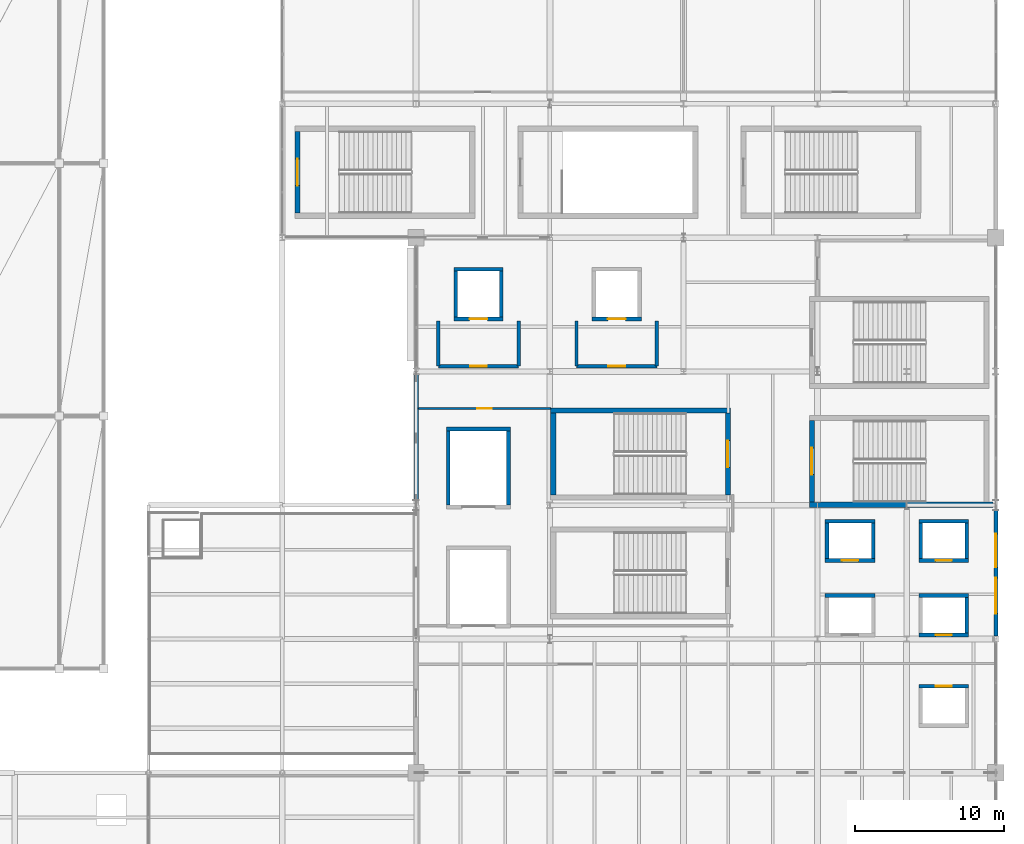
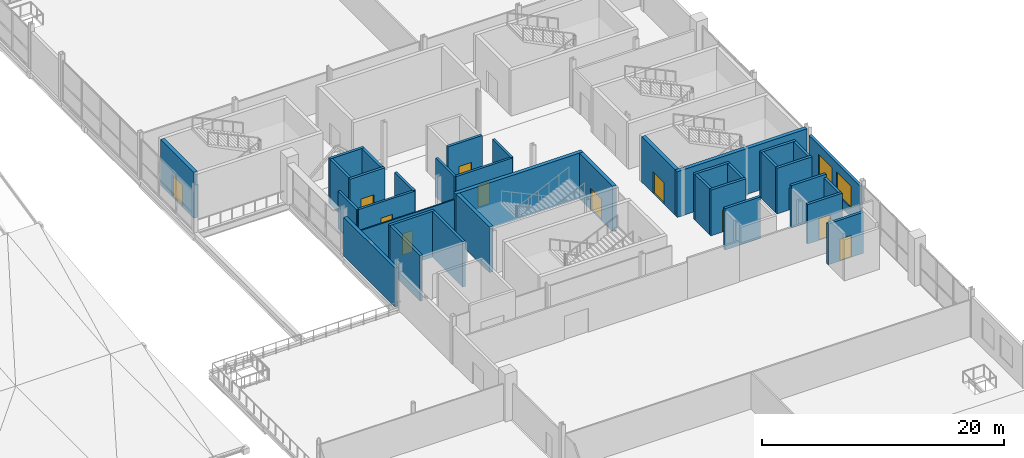
# One storey, part 52 of 69: 36 walls, 12 doors, 2 windows, 14 openings.
"""IFC4 building model written with IfcOpenShell, lengths in metres."""

import ifcopenshell
import ifcopenshell.guid

model = None  # the IFC model being written
_history = None  # IfcOwnerHistory: only IFC2X3 demands one
_inside = {}  # id of a spatial element -> (the spatial element, [elements in it])
_under = {}  # id of a project, library or spatial element -> (it, [spatial elements below it])
_declared = {}  # id of a project -> (the project, [libraries it declares])
_typed = {}  # id of a type object -> (the type object, [elements of that type])
_made_of = {}  # id of a material, layer set ... -> (it, [elements and type objects made of it])


def new_model(schema):
    """Start an empty IFC model of exactly this schema.

    Asked for "IFC4X3", IfcOpenShell would pick the latest addendum, in which some entities
    have other attributes; the version numbers below select the first issue.
    IFC2X3 requires an IfcOwnerHistory on every rooted entity: one is made here for all.
    """
    global model, _history
    if schema == "IFC4X3":
        model = ifcopenshell.file(schema_version=(4, 3, 0, 0))
    else:
        model = ifcopenshell.file(schema=schema)
    _inside.clear()
    _under.clear()
    _declared.clear()
    _typed.clear()
    _made_of.clear()
    _history = None
    if model.schema == "IFC2X3":
        org = make("IfcOrganization", Name="unknown")
        user = make(
            "IfcPersonAndOrganization",
            ThePerson=make("IfcPerson", FamilyName="unknown"),
            TheOrganization=org,
        )
        app = make(
            "IfcApplication",
            ApplicationDeveloper=org,
            Version="unknown",
            ApplicationFullName="unknown",
            ApplicationIdentifier="unknown",
        )
        _history = make(
            "IfcOwnerHistory",
            OwningUser=user,
            OwningApplication=app,
            ChangeAction="ADDED",
            CreationDate=0,
        )
    return model


def make(cls, **values):
    """One entity of the class cls with the attributes given. An attribute that is None is left unset."""
    return model.create_entity(
        cls, **{name: value for name, value in values.items() if value is not None}
    )


def rooted(cls, **values):
    """An entity with a GlobalId (a new one), such as an element, a storey or a relation."""
    return make(cls, GlobalId=ifcopenshell.guid.new(), OwnerHistory=_history, **values)


def si_unit(unit_type, name, prefix=None):
    """IfcSIUnit, for example si_unit("LENGTHUNIT", "METRE", prefix="MILLI")."""
    return make("IfcSIUnit", UnitType=unit_type, Prefix=prefix, Name=name)


def assignment(units):
    """IfcUnitAssignment: the units of a project."""
    return None if units is None else make("IfcUnitAssignment", Units=units)


def point(xyz):
    """IfcCartesianPoint."""
    return None if xyz is None else make("IfcCartesianPoint", Coordinates=xyz)


def direction(xyz):
    """IfcDirection."""
    return None if xyz is None else make("IfcDirection", DirectionRatios=xyz)


def frame(location, z_axis=None, x_axis=None):
    """IfcAxis2Placement3D, a coordinate frame: its origin and axes. An axis left out is left unset."""
    return make(
        "IfcAxis2Placement3D",
        Location=point(location),
        Axis=direction(z_axis),
        RefDirection=direction(x_axis),
    )


def frame_2d(location, x_axis=None):
    """IfcAxis2Placement2D, a coordinate frame in the plane: its origin and x axis."""
    return make(
        "IfcAxis2Placement2D", Location=point(location), RefDirection=direction(x_axis)
    )


def origin():
    """The frame at (0, 0, 0) with its axes left unset."""
    return frame((0.0, 0.0, 0.0))


def place(relative_to, where):
    """IfcLocalPlacement: puts the frame where relative to a parent placement (None: the world)."""
    return make(
        "IfcLocalPlacement", PlacementRelTo=relative_to, RelativePlacement=where
    )


def context(
    kind, dimensions, precision=None, world=None, true_north=None, identifier=None
):
    """IfcGeometricRepresentationContext, for example the 3D "Model" context."""
    return make(
        "IfcGeometricRepresentationContext",
        ContextIdentifier=identifier,
        ContextType=kind,
        CoordinateSpaceDimension=dimensions,
        Precision=precision,
        WorldCoordinateSystem=world,
        TrueNorth=true_north,
    )


def subcontext(parent, identifier, kind, view, scale=None):
    """IfcGeometricRepresentationSubContext, for example "Body" below "Model"."""
    return make(
        "IfcGeometricRepresentationSubContext",
        ContextIdentifier=identifier,
        ContextType=kind,
        ParentContext=parent,
        TargetScale=scale,
        TargetView=view,
    )


def project(units=None, contexts=None):
    """IfcProject with its units and contexts."""
    return rooted(
        "IfcProject",
        Name="project",
        RepresentationContexts=contexts,
        UnitsInContext=assignment(units),
    )


def spatial(cls, under=None, at=None, **own):
    """A site, building, storey or space (cls), placed at a placement, below another one or the project."""
    s = rooted(cls, ObjectPlacement=at, **own)
    if under is not None:
        _under.setdefault(under.id(), (under, []))[1].append(s)
    return s


def profile(cls, at=None, kind="AREA", **sizes):
    """A parametric profile (cls). Its sizes go by their IFC names, for example OverallWidth=200.0."""
    return make(cls, ProfileType=kind, Position=at, **sizes)


def rectangle(**sizes):
    """IfcRectangleProfileDef."""
    return profile("IfcRectangleProfileDef", **sizes)


def extrude(swept, where, along, depth):
    """IfcExtrudedAreaSolid: the profile swept, set in the frame where, extruded along a direction by depth."""
    return make(
        "IfcExtrudedAreaSolid",
        SweptArea=swept,
        Position=where,
        ExtrudedDirection=direction(along),
        Depth=depth,
    )


def shape(context_of_items, identifier, shape_type, items):
    """IfcShapeRepresentation: the items that make up one representation, for example the "Body"."""
    return make(
        "IfcShapeRepresentation",
        ContextOfItems=context_of_items,
        RepresentationIdentifier=identifier,
        RepresentationType=shape_type,
        Items=items,
    )


def material(Name=None, Category=None):
    """IfcMaterial."""
    return make("IfcMaterial", Name=Name, Category=Category)


def layer(
    of_material, thickness, ventilated=None, Name=None, Category=None, Priority=None
):
    """IfcMaterialLayer: one layer of a wall or slab, of a material (None: an air gap)."""
    return make(
        "IfcMaterialLayer",
        Material=of_material,
        LayerThickness=thickness,
        IsVentilated=ventilated,
        Name=Name,
        Category=Category,
        Priority=Priority,
    )


def layer_set(layers, Name=None):
    """IfcMaterialLayerSet."""
    return make("IfcMaterialLayerSet", MaterialLayers=layers, LayerSetName=Name)


def made_of(thing, what):
    """Note that an element or type object is made of a material, layer set ...; save() writes the relation."""
    if what is not None:
        _made_of.setdefault(what.id(), (what, []))[1].append(thing)
    return thing


def type_object(cls, material=None, **own):
    """A type object (cls), such as IfcWallType, which elements share."""
    return made_of(rooted(cls, **own), material)


def element(
    cls,
    number,
    at=None,
    inside=None,
    cuts=None,
    type_object=None,
    material=None,
    context=None,
    identifier="Body",
    shape_type=None,
    held_by="IfcProductDefinitionShape",
    body=None,
    shapes=None,
    **own,
):
    """One element of the class cls, such as IfcWall. Its Tag is "e" and its number.

    at: its placement. inside: the storey or other place that contains it. cuts: it is an
    opening in that element (IfcRelVoidsElement). A single representation is given by context,
    identifier, shape_type and body (its items); several are given by shapes. held_by: the class
    of the entity that holds the representations. save() writes the other relations.
    """
    e = rooted(cls, Tag="e%d" % number, ObjectPlacement=at, **own)
    if body is not None:
        shapes = [shape(context, identifier, shape_type, body)]
    if shapes is not None:
        e.Representation = make(held_by, Representations=shapes)
    if inside is not None:
        _inside.setdefault(inside.id(), (inside, []))[1].append(e)
    if cuts is not None:
        rooted(
            "IfcRelVoidsElement", RelatingBuildingElement=cuts, RelatedOpeningElement=e
        )
    if type_object is not None:
        _typed.setdefault(type_object.id(), (type_object, []))[1].append(e)
    return made_of(e, material)


def fill(opening, filler):
    """IfcRelFillsElement: the door or window that sits in an opening."""
    return rooted(
        "IfcRelFillsElement",
        RelatingOpeningElement=opening,
        RelatedBuildingElement=filler,
    )


def aggregate(whole, parts):
    """IfcRelAggregates: a whole, such as a stair, and the parts it consists of."""
    return rooted("IfcRelAggregates", RelatingObject=whole, RelatedObjects=parts)


def save(model, path):
    """Write the relations noted so far, then the file.

    IfcRelAggregates (storeys below a building ...), IfcRelContainedInSpatialStructure (elements
    in a storey), IfcRelDefinesByType, IfcRelAssociatesMaterial and IfcRelDeclares: one each for
    every whole, place, type object, material and project.
    """
    for whole, parts in _under.values():
        aggregate(whole, parts)
    for where, things in _inside.values():
        rooted(
            "IfcRelContainedInSpatialStructure",
            RelatedElements=things,
            RelatingStructure=where,
        )
    for kind, things in _typed.values():
        rooted("IfcRelDefinesByType", RelatedObjects=things, RelatingType=kind)
    for what, things in _made_of.values():
        rooted("IfcRelAssociatesMaterial", RelatedObjects=things, RelatingMaterial=what)
    for by, libraries in _declared.values():
        rooted("IfcRelDeclares", RelatingContext=by, RelatedDefinitions=libraries)
    model.write(path)


model = new_model("IFC4")

# Units and contexts
model_context = context("Model", 3, precision=1e-05, world=origin(), true_north=direction((0.0, 1.0)))
body_context = subcontext(model_context, "Body", "Model", "MODEL_VIEW")
ifc_project = project(units=[si_unit("LENGTHUNIT", "METRE"), si_unit("AREAUNIT", "SQUARE_METRE"), si_unit("VOLUMEUNIT", "CUBIC_METRE"), si_unit("PLANEANGLEUNIT", "RADIAN"), si_unit("MASSUNIT", "GRAM", prefix="KILO")], contexts=[model_context])

# Site, building, storey
site_placement = place(None, origin())
site = spatial("IfcSite", under=ifc_project, at=site_placement, CompositionType="ELEMENT")
building_placement = place(site_placement, origin())
building = spatial("IfcBuilding", under=site, at=building_placement, Name="Qamarlyn Nura Convention Centre", CompositionType="ELEMENT")
storey_placement = place(building_placement, frame((0.0, 0.0, 15.60009765625)))
storey = spatial("IfcBuildingStorey", under=building, at=storey_placement, Name="L03", CompositionType="ELEMENT", Elevation=15.60009765625)

# Wall, opening, door
ifc_material_1 = material(Name="Fire-rated acoustic gypsum board and mineral wool EI 120")
ifc_layer_1 = layer(ifc_material_1, 0.219970703125, Name="WT-COMP-220")
ifc_layer_set_1 = layer_set([ifc_layer_1], Name="Fire-rated acoustic gypsum board and mineral wool EI 120")
wall_type_1 = type_object("IfcWallType", Name="WT-COMP-220", PredefinedType="SOLIDWALL", material=ifc_layer_set_1)
wall_1_placement = place(storey_placement, frame((154.5, 72.35009765625, 0.0), z_axis=(0.0, 0.0, 1.0), x_axis=(1.0, 0.0, 0.0)))
wall_1 = element("IfcWall", 1, at=wall_1_placement, inside=storey, type_object=wall_type_1, Name="L03 firefighting lobby barrier wall FFL-03-OPP", PredefinedType="SOLIDWALL", context=body_context, shape_type="SweptSolid", body=[
    extrude(rectangle(XDim=5.39990234375, YDim=0.219970703125, at=frame_2d((2.699951171875, 0.0))), origin(), (0.0, 0.0, 1.0), 3.81201171875),
])
opening_1_placement = place(wall_1_placement, frame((2.139892578125, 0.0, 0.0)))
opening_1 = element("IfcOpeningElement", 2, at=opening_1_placement, cuts=wall_1, Name="Opening DF-121", PredefinedType="OPENING", context=body_context, shape_type="SweptSolid", body=[
    extrude(rectangle(XDim=1.1201171875, YDim=2.199951171875, at=frame_2d((0.56005859375, 1.10009765625))), frame((0.0, 0.1201171875, 0.0), z_axis=(0.0, -1.0, 0.0), x_axis=(1.0, 0.0, 0.0)), (0.0, 0.0, 1.0), 0.239990234375),
])
ifc_material_2 = material(Name="Galvanised fire-rated hollow steel door", Category="steel")
door_type_1 = type_object("IfcDoorType", Name="DR-FFL-1120", OperationType="NOTDEFINED", PredefinedType="DOOR", material=ifc_material_2)
door_1_placement = place(opening_1_placement, origin())
door_1 = element("IfcDoor", 3, at=door_1_placement, inside=storey, type_object=door_type_1, Name="L03 firefighting lobby door FFL-03 (DF-121)", OperationType="SINGLE_SWING_LEFT", OverallHeight=2.199951171875, OverallWidth=1.1201171875, PredefinedType="DOOR", context=body_context, shape_type="SweptSolid", body=[
    extrude(rectangle(XDim=1.1201171875, YDim=2.199951171875, at=frame_2d((0.56005859375, 1.10009765625))), frame((0.0, 0.02490234375, 0.0), z_axis=(0.0, -1.0, 0.0), x_axis=(1.0, 0.0, 0.0)), (0.0, 0.0, 1.0), 0.050048828125),
])
fill(opening_1, door_1)

# Walls
for number, where, z_axis, x_axis, name in (
    (4, (154.5, 72.35009765625, 0.0), (0.0, 0.0, 1.0), (0.0, 1.0, 0.0), "L03 firefighting lobby barrier wall FFL-03-W"),
    (5, (159.89990234375, 72.35009765625, 0.0), (0.0, 0.0, 1.0), (0.0, 1.0, 0.0), "L03 firefighting lobby barrier wall FFL-03-E"),
):
    element("IfcWall", number, at=place(storey_placement, frame(where, z_axis=z_axis, x_axis=x_axis)), inside=storey, type_object=wall_type_1, Name=name, PredefinedType="SOLIDWALL", context=body_context, shape_type="SweptSolid", body=[
        extrude(rectangle(XDim=3.0498046875, YDim=0.219970703125, at=frame_2d((1.52490234375, 0.0))), origin(), (0.0, 0.0, 1.0), 3.81201171875),
    ])

# Wall, opening, door
wall_2_placement = place(storey_placement, frame((163.800048828125, 72.35009765625, 0.0), z_axis=(0.0, 0.0, 1.0), x_axis=(1.0, 0.0, 0.0)))
wall_2 = element("IfcWall", 6, at=wall_2_placement, inside=storey, type_object=wall_type_1, Name="L03 firefighting lobby barrier wall FFL-04-OPP", PredefinedType="SOLIDWALL", context=body_context, shape_type="SweptSolid", body=[
    extrude(rectangle(XDim=5.39990234375, YDim=0.219970703125, at=frame_2d((2.699951171875, 0.0))), origin(), (0.0, 0.0, 1.0), 3.889892578125),
])
opening_2_placement = place(wall_2_placement, frame((2.139892578125, 0.0, 0.0)))
opening_2 = element("IfcOpeningElement", 7, at=opening_2_placement, cuts=wall_2, Name="Opening DF-128", PredefinedType="OPENING", context=body_context, shape_type="SweptSolid", body=[
    extrude(rectangle(XDim=1.1201171875, YDim=2.199951171875, at=frame_2d((0.56005859375, 1.10009765625))), frame((0.0, 0.1201171875, 0.0), z_axis=(0.0, -1.0, 0.0), x_axis=(1.0, 0.0, 0.0)), (0.0, 0.0, 1.0), 0.239990234375),
])
door_2_placement = place(opening_2_placement, origin())
door_2 = element("IfcDoor", 8, at=door_2_placement, inside=storey, type_object=door_type_1, Name="L03 firefighting lobby door FFL-04 (DF-128)", OperationType="SINGLE_SWING_RIGHT", OverallHeight=2.199951171875, OverallWidth=1.1201171875, PredefinedType="DOOR", context=body_context, shape_type="SweptSolid", body=[
    extrude(rectangle(XDim=1.1201171875, YDim=2.199951171875, at=frame_2d((0.56005859375, 1.10009765625))), frame((0.0, 0.02490234375, 0.0), z_axis=(0.0, -1.0, 0.0), x_axis=(1.0, 0.0, 0.0)), (0.0, 0.0, 1.0), 0.050048828125),
])
fill(opening_2, door_2)

# Walls
for number, where, z_axis, x_axis, name in (
    (9, (163.800048828125, 72.35009765625, 0.0), (0.0, 0.0, 1.0), (0.0, 1.0, 0.0), "L03 firefighting lobby barrier wall FFL-04-W"),
    (10, (169.199951171875, 72.35009765625, 0.0), (0.0, 0.0, 1.0), (0.0, 1.0, 0.0), "L03 firefighting lobby barrier wall FFL-04-E"),
):
    element("IfcWall", number, at=place(storey_placement, frame(where, z_axis=z_axis, x_axis=x_axis)), inside=storey, type_object=wall_type_1, Name=name, PredefinedType="SOLIDWALL", context=body_context, shape_type="SweptSolid", body=[
        extrude(rectangle(XDim=3.0498046875, YDim=0.219970703125, at=frame_2d((1.52490234375, 0.0))), origin(), (0.0, 0.0, 1.0), 3.889892578125),
    ])
ifc_material_3 = material(Name="Concrete C50/60", Category="concrete")
ifc_layer_2 = layer(ifc_material_3, 0.35009765625, Name="WT-CORE-350")
ifc_layer_set_2 = layer_set([ifc_layer_2], Name="Concrete C50/60")
wall_type_2 = type_object("IfcWallType", Name="WT-CORE-350", PredefinedType="SHEAR", material=ifc_layer_set_2)
wall_3_placement = place(storey_placement, frame((174.14990234375, 69.375, 0.0), z_axis=(0.0, 0.0, 1.0), x_axis=(-1.0, 0.0, 0.0)))
element("IfcWall", 11, at=wall_3_placement, inside=storey, type_object=wall_type_2, Name="L03 stair core shear wall ST-12-N", PredefinedType="SHEAR", context=body_context, shape_type="SweptSolid", body=[
    extrude(rectangle(XDim=12.099853515625, YDim=0.35009765625, at=frame_2d((6.0498046875, 0.0))), origin(), (0.0, 0.0, 1.0), 4.599853515625),
])
wall_4_placement = place(storey_placement, frame((162.22509765625, 69.199951171875, 0.0), z_axis=(0.0, 0.0, 1.0), x_axis=(0.0, -1.0, 0.0)))
element("IfcWall", 12, at=wall_4_placement, inside=storey, type_object=wall_type_2, Name="L03 stair core shear wall ST-12-W", PredefinedType="SHEAR", context=body_context, shape_type="SweptSolid", body=[
    extrude(rectangle(XDim=5.5, YDim=0.35009765625, at=frame_2d((2.75, 0.0))), origin(), (0.0, 0.0, 1.0), 4.599853515625),
])

# Wall, opening, door
wall_5_placement = place(storey_placement, frame((173.97509765625, 63.699951171875, 0.0), z_axis=(0.0, 0.0, 1.0), x_axis=(0.0, 1.0, 0.0)))
wall_5 = element("IfcWall", 13, at=wall_5_placement, inside=storey, type_object=wall_type_2, Name="L03 stair core shear wall ST-12-E", PredefinedType="SHEAR", context=body_context, shape_type="SweptSolid", body=[
    extrude(rectangle(XDim=5.5, YDim=0.35009765625, at=frame_2d((2.75, 0.0))), origin(), (0.0, 0.0, 1.0), 4.599853515625),
])
opening_3_placement = place(wall_5_placement, frame((1.85009765625, 0.0, 0.0)))
opening_3 = element("IfcOpeningElement", 14, at=opening_3_placement, cuts=wall_5, Name="Opening DS-054", PredefinedType="OPENING", context=body_context, shape_type="SweptSolid", body=[
    extrude(rectangle(XDim=1.800048828125, YDim=2.199951171875, at=frame_2d((0.89990234375, 1.10009765625))), frame((0.0, 0.18505859375, 0.0), z_axis=(0.0, -1.0, 0.0), x_axis=(1.0, 0.0, 0.0)), (0.0, 0.0, 1.0), 0.3701171875),
])
door_type_2 = type_object("IfcDoorType", Name="DR-STAIR-1800", OperationType="DOUBLE_DOOR_SINGLE_SWING", PredefinedType="DOOR", material=ifc_material_2)
door_3_placement = place(opening_3_placement, origin())
door_3 = element("IfcDoor", 15, at=door_3_placement, inside=storey, type_object=door_type_2, Name="L03 exit stair door ST-12 (DS-054)", OperationType="DOUBLE_DOOR_SINGLE_SWING", OverallHeight=2.199951171875, OverallWidth=1.800048828125, PredefinedType="DOOR", context=body_context, shape_type="SweptSolid", body=[
    extrude(rectangle(XDim=1.800048828125, YDim=2.199951171875, at=frame_2d((0.89990234375, 1.10009765625))), frame((0.0, 0.02490234375, 0.0), z_axis=(0.0, -1.0, 0.0), x_axis=(1.0, 0.0, 0.0)), (0.0, 0.0, 1.0), 0.050048828125),
])
fill(opening_3, door_3)

# Wall
wall_6_placement = place(storey_placement, frame((179.449951171875, 63.02490234375, 0.0), z_axis=(0.0, 0.0, 1.0), x_axis=(1.0, 0.0, 0.0)))
element("IfcWall", 16, at=wall_6_placement, inside=storey, type_object=wall_type_2, Name="L03 stair core shear wall ST-13-S", PredefinedType="SHEAR", context=body_context, shape_type="SweptSolid", body=[
    extrude(rectangle(XDim=12.37255859375, YDim=0.35009765625, at=frame_2d((6.186279296875, 0.0))), origin(), (0.0, 0.0, 1.0), 4.599853515625),
])

# Wall, opening, door
wall_7_placement = place(storey_placement, frame((179.625, 68.699951171875, 0.0), z_axis=(0.0, 0.0, 1.0), x_axis=(0.0, -1.0, 0.0)))
wall_7 = element("IfcWall", 17, at=wall_7_placement, inside=storey, type_object=wall_type_2, Name="L03 stair core shear wall ST-13-W", PredefinedType="SHEAR", context=body_context, shape_type="SweptSolid", body=[
    extrude(rectangle(XDim=5.5, YDim=0.35009765625, at=frame_2d((2.75, 0.0))), origin(), (0.0, 0.0, 1.0), 4.599853515625),
])
opening_4_placement = place(wall_7_placement, frame((1.85009765625, 0.0, 0.0)))
opening_4 = element("IfcOpeningElement", 18, at=opening_4_placement, cuts=wall_7, Name="Opening DS-061", PredefinedType="OPENING", context=body_context, shape_type="SweptSolid", body=[
    extrude(rectangle(XDim=1.800048828125, YDim=2.199951171875, at=frame_2d((0.89990234375, 1.10009765625))), frame((0.0, 0.18505859375, 0.0), z_axis=(0.0, -1.0, 0.0), x_axis=(1.0, 0.0, 0.0)), (0.0, 0.0, 1.0), 0.3701171875),
])
door_4_placement = place(opening_4_placement, origin())
door_4 = element("IfcDoor", 19, at=door_4_placement, inside=storey, type_object=door_type_2, Name="L03 exit stair door ST-13 (DS-061)", OperationType="DOUBLE_DOOR_SINGLE_SWING", OverallHeight=2.199951171875, OverallWidth=1.800048828125, PredefinedType="DOOR", context=body_context, shape_type="SweptSolid", body=[
    extrude(rectangle(XDim=1.800048828125, YDim=2.199951171875, at=frame_2d((0.89990234375, 1.10009765625))), frame((0.0, 0.02490234375, 0.0), z_axis=(0.0, -1.0, 0.0), x_axis=(1.0, 0.0, 0.0)), (0.0, 0.0, 1.0), 0.050048828125),
])
fill(opening_4, door_4)

wall_8_placement = place(storey_placement, frame((145.02490234375, 88.14990234375, 0.0), z_axis=(0.0, 0.0, 1.0), x_axis=(0.0, -1.0, 0.0)))
wall_8 = element("IfcWall", 20, at=wall_8_placement, inside=storey, type_object=wall_type_2, Name="L03 stair core shear wall ST-15-W", PredefinedType="SHEAR", context=body_context, shape_type="SweptSolid", body=[
    extrude(rectangle(XDim=5.5, YDim=0.35009765625, at=frame_2d((2.75, 0.0))), origin(), (0.0, 0.0, 1.0), 4.635009765625),
])
opening_5_placement = place(wall_8_placement, frame((1.85009765625, 0.0, 0.0)))
opening_5 = element("IfcOpeningElement", 21, at=opening_5_placement, cuts=wall_8, Name="Opening DS-075", PredefinedType="OPENING", context=body_context, shape_type="SweptSolid", body=[
    extrude(rectangle(XDim=1.800048828125, YDim=2.199951171875, at=frame_2d((0.89990234375, 1.10009765625))), frame((0.0, 0.18505859375, 0.0), z_axis=(0.0, -1.0, 0.0), x_axis=(1.0, 0.0, 0.0)), (0.0, 0.0, 1.0), 0.3701171875),
])
door_5_placement = place(opening_5_placement, origin())
door_5 = element("IfcDoor", 22, at=door_5_placement, inside=storey, type_object=door_type_2, Name="L03 exit stair door ST-15 (DS-075)", OperationType="DOUBLE_DOOR_SINGLE_SWING", OverallHeight=2.199951171875, OverallWidth=1.800048828125, PredefinedType="DOOR", context=body_context, shape_type="SweptSolid", body=[
    extrude(rectangle(XDim=1.800048828125, YDim=2.199951171875, at=frame_2d((0.89990234375, 1.10009765625))), frame((0.0, 0.02490234375, 0.0), z_axis=(0.0, -1.0, 0.0), x_axis=(1.0, 0.0, 0.0)), (0.0, 0.0, 1.0), 0.050048828125),
])
fill(opening_5, door_5)

# Wall, openings, windows
ifc_material_4 = material(Name="Concrete C40/50", Category="concrete")
ifc_layer_3 = layer(ifc_material_4, 0.260009765625, Name="WT-EXT-260")
ifc_layer_set_3 = layer_set([ifc_layer_3], Name="Concrete C40/50")
wall_type_3 = type_object("IfcWallType", Name="WT-EXT-260", PredefinedType="SOLIDWALL", material=ifc_layer_set_3)
wall_9_placement = place(storey_placement, frame((192.0, 62.652587890625, 0.0), z_axis=(0.0, 0.0, 1.0), x_axis=(0.0, -1.0, 0.0)))
wall_9 = element("IfcWall", 23, at=wall_9_placement, inside=storey, type_object=wall_type_3, Name="L03 exterior facade wall WEXT-L03-1920-627-1920-542", PredefinedType="SOLIDWALL", context=body_context, shape_type="SweptSolid", body=[
    extrude(rectangle(XDim=8.45263671875, YDim=0.260009765625, at=frame_2d((4.226318359375, 0.0))), origin(), (0.0, 0.0, 1.0), 4.0458984375),
])
opening_6_placement = place(wall_9_placement, frame((1.588134765625, 0.0, 0.949951171875)))
opening_6 = element("IfcOpeningElement", 24, at=opening_6_placement, cuts=wall_9, Name="Opening WN18", PredefinedType="OPENING", context=body_context, shape_type="SweptSolid", body=[
    extrude(rectangle(XDim=2.25, YDim=2.14990234375, at=frame_2d((1.125, 1.074951171875))), frame((0.0, 0.14013671875, 0.0), z_axis=(0.0, -1.0, 0.0), x_axis=(1.0, 0.0, 0.0)), (0.0, 0.0, 1.0), 0.280029296875),
])
opening_7_placement = place(wall_9_placement, frame((4.539306640625, 0.0, 0.949951171875)))
opening_7 = element("IfcOpeningElement", 25, at=opening_7_placement, cuts=wall_9, Name="Opening WN19", PredefinedType="OPENING", context=body_context, shape_type="SweptSolid", body=[
    extrude(rectangle(XDim=2.39990234375, YDim=2.199951171875, at=frame_2d((1.199951171875, 1.10009765625))), frame((0.0, 0.14013671875, 0.0), z_axis=(0.0, -1.0, 0.0), x_axis=(1.0, 0.0, 0.0)), (0.0, 0.0, 1.0), 0.280029296875),
])
ifc_material_5 = material(Name="Double-silver low-E insulated glass", Category="glass")
window_type_1 = type_object("IfcWindowType", Name="WIN-SOL-18", PartitioningType="SINGLE_PANEL", PredefinedType="WINDOW", material=ifc_material_5)
window_1_placement = place(opening_6_placement, origin())
window_1 = element("IfcWindow", 26, at=window_1_placement, inside=storey, type_object=window_type_1, Name="L03 solar-control window 042", OverallHeight=2.14990234375, OverallWidth=2.25, PartitioningType="SINGLE_PANEL", PredefinedType="WINDOW", context=body_context, shape_type="SweptSolid", body=[
    extrude(rectangle(XDim=2.25, YDim=2.14990234375, at=frame_2d((1.125, 1.074951171875))), frame((0.0, 0.030029296875, 0.0), z_axis=(0.0, -1.0, 0.0), x_axis=(1.0, 0.0, 0.0)), (0.0, 0.0, 1.0), 0.06005859375),
])
fill(opening_6, window_1)
window_type_2 = type_object("IfcWindowType", Name="WIN-SOL-19", PartitioningType="SINGLE_PANEL", PredefinedType="WINDOW", material=ifc_material_5)
window_2_placement = place(opening_7_placement, origin())
window_2 = element("IfcWindow", 27, at=window_2_placement, inside=storey, type_object=window_type_2, Name="L03 solar-control window 043", OverallHeight=2.199951171875, OverallWidth=2.39990234375, PartitioningType="SINGLE_PANEL", PredefinedType="WINDOW", context=body_context, shape_type="SweptSolid", body=[
    extrude(rectangle(XDim=2.39990234375, YDim=2.199951171875, at=frame_2d((1.199951171875, 1.10009765625))), frame((0.0, 0.030029296875, 0.0), z_axis=(0.0, -1.0, 0.0), x_axis=(1.0, 0.0, 0.0)), (0.0, 0.0, 1.0), 0.06005859375),
])
fill(opening_7, window_2)

# Wall
ifc_material_6 = material(Name="Concrete C40/50 with UAE coastal limestone stone facing", Category="masonry")
ifc_layer_4 = layer(ifc_material_6, 0.300048828125, Name="WT-LIME-300")
ifc_layer_set_4 = layer_set([ifc_layer_4], Name="Concrete C40/50 with UAE coastal limestone stone facing")
wall_type_4 = type_object("IfcWallType", Name="WT-LIME-300", PredefinedType="SOLIDWALL", material=ifc_layer_set_4)
wall_10_placement = place(storey_placement, frame((153.0, 63.347412109375, 0.0), z_axis=(0.0, 0.0, 1.0), x_axis=(0.0, 1.0, 0.0)))
element("IfcWall", 28, at=wall_10_placement, inside=storey, type_object=wall_type_4, Name="L03 exterior facade wall WEXT-L03-1530-633-1530-718", PredefinedType="SOLIDWALL", context=body_context, shape_type="SweptSolid", body=[
    extrude(rectangle(XDim=8.440185546875, YDim=0.300048828125, at=frame_2d((4.22021484375, 0.0))), origin(), (0.0, 0.0, 1.0), 3.90087890625),
])

# Wall, opening, door
ifc_material_7 = material(Name="Acoustic double-stud gypsum partition")
ifc_layer_5 = layer(ifc_material_7, 0.1201171875, Name="WT-PART-120")
ifc_layer_set_5 = layer_set([ifc_layer_5], Name="Acoustic double-stud gypsum partition")
wall_type_5 = type_object("IfcWallType", Name="WT-PART-120", PredefinedType="PARTITIONING", material=ifc_layer_set_5)
wall_11_placement = place(storey_placement, frame((153.14990234375, 69.510009765625, 0.0), z_axis=(0.0, 0.0, 1.0), x_axis=(1.0, 0.0, 0.0)))
wall_11 = element("IfcWall", 29, at=wall_11_placement, inside=storey, type_object=wall_type_5, Name="L03 interior partition L03-RST-DELG-1-1", PredefinedType="PARTITIONING", context=body_context, shape_type="SweptSolid", body=[
    extrude(rectangle(XDim=8.900146484375, YDim=0.1201171875, at=frame_2d((4.4501953125, 0.0))), origin(), (0.0, 0.0, 1.0), 3.889892578125),
])
opening_8_placement = place(wall_11_placement, frame((3.9599609375, 0.0, 0.0)))
opening_8 = element("IfcOpeningElement", 30, at=opening_8_placement, cuts=wall_11, Name="Opening D-L03-197", PredefinedType="OPENING", context=body_context, shape_type="SweptSolid", body=[
    extrude(rectangle(XDim=0.97998046875, YDim=2.14990234375, at=frame_2d((0.489990234375, 1.074951171875))), frame((0.0, 0.070068359375, 0.0), z_axis=(0.0, -1.0, 0.0), x_axis=(1.0, 0.0, 0.0)), (0.0, 0.0, 1.0), 0.14013671875),
])
ifc_material_8 = material(Name="Acoustic walnut timber leaf", Category="wood")
door_type_3 = type_object("IfcDoorType", Name="DR-ROOM-0980", OperationType="NOTDEFINED", PredefinedType="DOOR", material=ifc_material_8)
door_6_placement = place(opening_8_placement, origin())
door_6 = element("IfcDoor", 31, at=door_6_placement, inside=storey, type_object=door_type_3, Name="L03 Delegate Restaurant door D-L03-197", OperationType="SINGLE_SWING_RIGHT", OverallHeight=2.14990234375, OverallWidth=0.97998046875, PredefinedType="DOOR", context=body_context, shape_type="SweptSolid", body=[
    extrude(rectangle(XDim=0.97998046875, YDim=2.14990234375, at=frame_2d((0.489990234375, 1.074951171875))), frame((0.0, 0.02490234375, 0.0), z_axis=(0.0, -1.0, 0.0), x_axis=(1.0, 0.0, 0.0)), (0.0, 0.0, 1.0), 0.050048828125),
])
fill(opening_8, door_6)

ifc_layer_6 = layer(ifc_material_1, 0.25, Name="WT-SHAFT-250")
ifc_layer_set_6 = layer_set([ifc_layer_6], Name="Fire-rated acoustic gypsum board and mineral wool EI 120")
wall_type_6 = type_object("IfcWallType", Name="WT-SHAFT-250", PredefinedType="SOLIDWALL", material=ifc_layer_set_6)
wall_12_placement = place(storey_placement, frame((155.550048828125, 75.52490234375, 0.0), z_axis=(0.0, 0.0, 1.0), x_axis=(1.0, 0.0, 0.0)))
wall_12 = element("IfcWall", 32, at=wall_12_placement, inside=storey, type_object=wall_type_6, Name="L03 lift shaft enclosure wall FFL-03 -y", PredefinedType="SOLIDWALL", context=body_context, shape_type="SweptSolid", body=[
    extrude(rectangle(XDim=3.300048828125, YDim=0.25, at=frame_2d((1.64990234375, 0.0))), origin(), (0.0, 0.0, 1.0), 4.599853515625),
])
opening_9_placement = place(wall_12_placement, frame((1.050048828125, 0.0, 0.0)))
opening_9 = element("IfcOpeningElement", 33, at=opening_9_placement, cuts=wall_12, Name="Opening LD-FFL-03-L03", PredefinedType="OPENING", context=body_context, shape_type="SweptSolid", body=[
    extrude(rectangle(XDim=1.199951171875, YDim=2.25, at=frame_2d((0.60009765625, 1.125))), frame((0.0, 0.135009765625, 0.0), z_axis=(0.0, -1.0, 0.0), x_axis=(1.0, 0.0, 0.0)), (0.0, 0.0, 1.0), 0.27001953125),
])
ifc_material_9 = material(Name="Marine Grade 316 stainless steel", Category="steel")
door_type_4 = type_object("IfcDoorType", Name="DR-LD-FFL", OperationType="DOUBLE_DOOR_SLIDING", PredefinedType="DOOR", material=ifc_material_9)
door_7_placement = place(opening_9_placement, origin())
door_7 = element("IfcDoor", 34, at=door_7_placement, inside=storey, type_object=door_type_4, Name="Lift landing door LD-FFL-03-L03", OperationType="DOUBLE_DOOR_SLIDING", OverallHeight=2.25, OverallWidth=1.199951171875, PredefinedType="DOOR", context=body_context, shape_type="SweptSolid", body=[
    extrude(rectangle(XDim=1.199951171875, YDim=2.25, at=frame_2d((0.60009765625, 1.125))), frame((0.0, 0.02490234375, 0.0), z_axis=(0.0, -1.0, 0.0), x_axis=(1.0, 0.0, 0.0)), (0.0, 0.0, 1.0), 0.050048828125),
])
fill(opening_9, door_7)

# Walls
wall_13_placement = place(storey_placement, frame((158.85009765625, 78.875, 0.0), z_axis=(0.0, 0.0, 1.0), x_axis=(-1.0, 0.0, 0.0)))
element("IfcWall", 35, at=wall_13_placement, inside=storey, type_object=wall_type_6, Name="L03 lift shaft enclosure wall FFL-03 +y", PredefinedType="SOLIDWALL", context=body_context, shape_type="SweptSolid", body=[
    extrude(rectangle(XDim=3.300048828125, YDim=0.25, at=frame_2d((1.64990234375, 0.0))), origin(), (0.0, 0.0, 1.0), 4.599853515625),
])
for number, where, z_axis, x_axis, name in (
    (36, (155.675048828125, 78.75, 0.0), (0.0, 0.0, 1.0), (0.0, -1.0, 0.0), "L03 lift shaft enclosure wall FFL-03 -x"),
    (37, (158.72509765625, 75.64990234375, 0.0), (0.0, 0.0, 1.0), (0.0, 1.0, 0.0), "L03 lift shaft enclosure wall FFL-03 +x"),
):
    element("IfcWall", number, at=place(storey_placement, frame(where, z_axis=z_axis, x_axis=x_axis)), inside=storey, type_object=wall_type_6, Name=name, PredefinedType="SOLIDWALL", context=body_context, shape_type="SweptSolid", body=[
        extrude(rectangle(XDim=3.10009765625, YDim=0.25, at=frame_2d((1.550048828125, 0.0))), origin(), (0.0, 0.0, 1.0), 4.599853515625),
    ])

# Wall, opening, door
wall_14_placement = place(storey_placement, frame((164.85009765625, 75.52490234375, 0.0), z_axis=(0.0, 0.0, 1.0), x_axis=(1.0, 0.0, 0.0)))
wall_14 = element("IfcWall", 38, at=wall_14_placement, inside=storey, type_object=wall_type_6, Name="L03 lift shaft enclosure wall FFL-04 -y", PredefinedType="SOLIDWALL", context=body_context, shape_type="SweptSolid", body=[
    extrude(rectangle(XDim=3.2998046875, YDim=0.25, at=frame_2d((1.64990234375, 0.0))), origin(), (0.0, 0.0, 1.0), 4.599853515625),
])
opening_10_placement = place(wall_14_placement, frame((1.050048828125, 0.0, 0.0)))
opening_10 = element("IfcOpeningElement", 39, at=opening_10_placement, cuts=wall_14, Name="Opening LD-FFL-04-L03", PredefinedType="OPENING", context=body_context, shape_type="SweptSolid", body=[
    extrude(rectangle(XDim=1.199951171875, YDim=2.25, at=frame_2d((0.60009765625, 1.125))), frame((0.0, 0.135009765625, 0.0), z_axis=(0.0, -1.0, 0.0), x_axis=(1.0, 0.0, 0.0)), (0.0, 0.0, 1.0), 0.27001953125),
])
door_8_placement = place(opening_10_placement, origin())
door_8 = element("IfcDoor", 40, at=door_8_placement, inside=storey, type_object=door_type_4, Name="Lift landing door LD-FFL-04-L03", OperationType="DOUBLE_DOOR_SLIDING", OverallHeight=2.25, OverallWidth=1.199951171875, PredefinedType="DOOR", context=body_context, shape_type="SweptSolid", body=[
    extrude(rectangle(XDim=1.199951171875, YDim=2.25, at=frame_2d((0.60009765625, 1.125))), frame((0.0, 0.02490234375, 0.0), z_axis=(0.0, -1.0, 0.0), x_axis=(1.0, 0.0, 0.0)), (0.0, 0.0, 1.0), 0.050048828125),
])
fill(opening_10, door_8)

wall_15_placement = place(storey_placement, frame((180.52490234375, 59.27490234375, 0.0), z_axis=(0.0, 0.0, 1.0), x_axis=(1.0, 0.0, 0.0)))
wall_15 = element("IfcWall", 41, at=wall_15_placement, inside=storey, type_object=wall_type_6, Name="L03 lift shaft enclosure wall PL-01 -y", PredefinedType="SOLIDWALL", context=body_context, shape_type="SweptSolid", body=[
    extrude(rectangle(XDim=3.35009765625, YDim=0.25, at=frame_2d((1.675048828125, 0.0))), origin(), (0.0, 0.0, 1.0), 4.599853515625),
])
opening_11_placement = place(wall_15_placement, frame((1.125, 0.0, 0.0)))
opening_11 = element("IfcOpeningElement", 42, at=opening_11_placement, cuts=wall_15, Name="Opening LD-PL-01-L03", PredefinedType="OPENING", context=body_context, shape_type="SweptSolid", body=[
    extrude(rectangle(XDim=1.10009765625, YDim=2.199951171875, at=frame_2d((0.550048828125, 1.10009765625))), frame((0.0, 0.135009765625, 0.0), z_axis=(0.0, -1.0, 0.0), x_axis=(1.0, 0.0, 0.0)), (0.0, 0.0, 1.0), 0.27001953125),
])
door_type_5 = type_object("IfcDoorType", Name="DR-LD-PAX", OperationType="DOUBLE_DOOR_SLIDING", PredefinedType="DOOR", material=ifc_material_9)
door_9_placement = place(opening_11_placement, origin())
door_9 = element("IfcDoor", 43, at=door_9_placement, inside=storey, type_object=door_type_5, Name="Lift landing door LD-PL-01-L03", OperationType="DOUBLE_DOOR_SLIDING", OverallHeight=2.199951171875, OverallWidth=1.10009765625, PredefinedType="DOOR", context=body_context, shape_type="SweptSolid", body=[
    extrude(rectangle(XDim=1.10009765625, YDim=2.199951171875, at=frame_2d((0.550048828125, 1.10009765625))), frame((0.0, 0.02490234375, 0.0), z_axis=(0.0, -1.0, 0.0), x_axis=(1.0, 0.0, 0.0)), (0.0, 0.0, 1.0), 0.050048828125),
])
fill(opening_11, door_9)

# Walls
wall_16_placement = place(storey_placement, frame((183.875, 61.925048828125, 0.0), z_axis=(0.0, 0.0, 1.0), x_axis=(-1.0, 0.0, 0.0)))
element("IfcWall", 44, at=wall_16_placement, inside=storey, type_object=wall_type_6, Name="L03 lift shaft enclosure wall PL-01 +y", PredefinedType="SOLIDWALL", context=body_context, shape_type="SweptSolid", body=[
    extrude(rectangle(XDim=3.35009765625, YDim=0.25, at=frame_2d((1.675048828125, 0.0))), origin(), (0.0, 0.0, 1.0), 4.599853515625),
])
for number, where, z_axis, x_axis, name in (
    (45, (180.64990234375, 61.800048828125, 0.0), (0.0, 0.0, 1.0), (0.0, -1.0, 0.0), "L03 lift shaft enclosure wall PL-01 -x"),
    (46, (183.75, 59.39990234375, 0.0), (0.0, 0.0, 1.0), (0.0, 1.0, 0.0), "L03 lift shaft enclosure wall PL-01 +x"),
):
    element("IfcWall", number, at=place(storey_placement, frame(where, z_axis=z_axis, x_axis=x_axis)), inside=storey, type_object=wall_type_6, Name=name, PredefinedType="SOLIDWALL", context=body_context, shape_type="SweptSolid", body=[
        extrude(rectangle(XDim=2.400146484375, YDim=0.25, at=frame_2d((1.2001953125, 0.0))), origin(), (0.0, 0.0, 1.0), 4.599853515625),
    ])

# Wall, opening, door
wall_17_placement = place(storey_placement, frame((186.824951171875, 59.27490234375, 0.0), z_axis=(0.0, 0.0, 1.0), x_axis=(1.0, 0.0, 0.0)))
wall_17 = element("IfcWall", 47, at=wall_17_placement, inside=storey, type_object=wall_type_6, Name="L03 lift shaft enclosure wall PL-02 -y", PredefinedType="SOLIDWALL", context=body_context, shape_type="SweptSolid", body=[
    extrude(rectangle(XDim=3.35009765625, YDim=0.25, at=frame_2d((1.675048828125, 0.0))), origin(), (0.0, 0.0, 1.0), 4.599853515625),
])
opening_12_placement = place(wall_17_placement, frame((1.125, 0.0, 0.0)))
opening_12 = element("IfcOpeningElement", 48, at=opening_12_placement, cuts=wall_17, Name="Opening LD-PL-02-L03", PredefinedType="OPENING", context=body_context, shape_type="SweptSolid", body=[
    extrude(rectangle(XDim=1.10009765625, YDim=2.199951171875, at=frame_2d((0.550048828125, 1.10009765625))), frame((0.0, 0.135009765625, 0.0), z_axis=(0.0, -1.0, 0.0), x_axis=(1.0, 0.0, 0.0)), (0.0, 0.0, 1.0), 0.27001953125),
])
door_10_placement = place(opening_12_placement, origin())
door_10 = element("IfcDoor", 49, at=door_10_placement, inside=storey, type_object=door_type_5, Name="Lift landing door LD-PL-02-L03", OperationType="DOUBLE_DOOR_SLIDING", OverallHeight=2.199951171875, OverallWidth=1.10009765625, PredefinedType="DOOR", context=body_context, shape_type="SweptSolid", body=[
    extrude(rectangle(XDim=1.10009765625, YDim=2.199951171875, at=frame_2d((0.550048828125, 1.10009765625))), frame((0.0, 0.02490234375, 0.0), z_axis=(0.0, -1.0, 0.0), x_axis=(1.0, 0.0, 0.0)), (0.0, 0.0, 1.0), 0.050048828125),
])
fill(opening_12, door_10)

# Walls
wall_18_placement = place(storey_placement, frame((190.175048828125, 61.925048828125, 0.0), z_axis=(0.0, 0.0, 1.0), x_axis=(-1.0, 0.0, 0.0)))
element("IfcWall", 50, at=wall_18_placement, inside=storey, type_object=wall_type_6, Name="L03 lift shaft enclosure wall PL-02 +y", PredefinedType="SOLIDWALL", context=body_context, shape_type="SweptSolid", body=[
    extrude(rectangle(XDim=3.35009765625, YDim=0.25, at=frame_2d((1.675048828125, 0.0))), origin(), (0.0, 0.0, 1.0), 4.599853515625),
])
for number, where, z_axis, x_axis, name in (
    (51, (186.949951171875, 61.800048828125, 0.0), (0.0, 0.0, 1.0), (0.0, -1.0, 0.0), "L03 lift shaft enclosure wall PL-02 -x"),
    (52, (190.050048828125, 59.39990234375, 0.0), (0.0, 0.0, 1.0), (0.0, 1.0, 0.0), "L03 lift shaft enclosure wall PL-02 +x"),
):
    element("IfcWall", number, at=place(storey_placement, frame(where, z_axis=z_axis, x_axis=x_axis)), inside=storey, type_object=wall_type_6, Name=name, PredefinedType="SOLIDWALL", context=body_context, shape_type="SweptSolid", body=[
        extrude(rectangle(XDim=2.400146484375, YDim=0.25, at=frame_2d((1.2001953125, 0.0))), origin(), (0.0, 0.0, 1.0), 4.599853515625),
    ])
wall_19_placement = place(storey_placement, frame((183.875, 56.925048828125, 0.0), z_axis=(0.0, 0.0, 1.0), x_axis=(-1.0, 0.0, 0.0)))
element("IfcWall", 53, at=wall_19_placement, inside=storey, type_object=wall_type_6, Name="L03 lift shaft enclosure wall PL-03 +y", PredefinedType="SOLIDWALL", context=body_context, shape_type="SweptSolid", body=[
    extrude(rectangle(XDim=3.35009765625, YDim=0.25, at=frame_2d((1.675048828125, 0.0))), origin(), (0.0, 0.0, 1.0), 4.177978515625),
])

# Wall, opening, door
wall_20_placement = place(storey_placement, frame((186.824951171875, 54.27490234375, 0.0), z_axis=(0.0, 0.0, 1.0), x_axis=(1.0, 0.0, 0.0)))
wall_20 = element("IfcWall", 54, at=wall_20_placement, inside=storey, type_object=wall_type_6, Name="L03 lift shaft enclosure wall PL-04 -y", PredefinedType="SOLIDWALL", context=body_context, shape_type="SweptSolid", body=[
    extrude(rectangle(XDim=3.35009765625, YDim=0.25, at=frame_2d((1.675048828125, 0.0))), origin(), (0.0, 0.0, 1.0), 3.973876953125),
])
opening_13_placement = place(wall_20_placement, frame((1.125, 0.0, 0.0)))
opening_13 = element("IfcOpeningElement", 55, at=opening_13_placement, cuts=wall_20, Name="Opening LD-PL-04-L03", PredefinedType="OPENING", context=body_context, shape_type="SweptSolid", body=[
    extrude(rectangle(XDim=1.10009765625, YDim=2.199951171875, at=frame_2d((0.550048828125, 1.10009765625))), frame((0.0, 0.135009765625, 0.0), z_axis=(0.0, -1.0, 0.0), x_axis=(1.0, 0.0, 0.0)), (0.0, 0.0, 1.0), 0.27001953125),
])
door_11_placement = place(opening_13_placement, origin())
door_11 = element("IfcDoor", 56, at=door_11_placement, inside=storey, type_object=door_type_5, Name="Lift landing door LD-PL-04-L03", OperationType="DOUBLE_DOOR_SLIDING", OverallHeight=2.199951171875, OverallWidth=1.10009765625, PredefinedType="DOOR", context=body_context, shape_type="SweptSolid", body=[
    extrude(rectangle(XDim=1.10009765625, YDim=2.199951171875, at=frame_2d((0.550048828125, 1.10009765625))), frame((0.0, 0.02490234375, 0.0), z_axis=(0.0, -1.0, 0.0), x_axis=(1.0, 0.0, 0.0)), (0.0, 0.0, 1.0), 0.050048828125),
])
fill(opening_13, door_11)

# Walls
wall_21_placement = place(storey_placement, frame((190.175048828125, 56.925048828125, 0.0), z_axis=(0.0, 0.0, 1.0), x_axis=(-1.0, 0.0, 0.0)))
element("IfcWall", 57, at=wall_21_placement, inside=storey, type_object=wall_type_6, Name="L03 lift shaft enclosure wall PL-04 +y", PredefinedType="SOLIDWALL", context=body_context, shape_type="SweptSolid", body=[
    extrude(rectangle(XDim=3.35009765625, YDim=0.25, at=frame_2d((1.675048828125, 0.0))), origin(), (0.0, 0.0, 1.0), 4.27685546875),
])
wall_22_placement = place(storey_placement, frame((190.050048828125, 54.39990234375, 0.0), z_axis=(0.0, 0.0, 1.0), x_axis=(0.0, 1.0, 0.0)))
element("IfcWall", 58, at=wall_22_placement, inside=storey, type_object=wall_type_6, Name="L03 lift shaft enclosure wall PL-04 +x", PredefinedType="SOLIDWALL", context=body_context, shape_type="SweptSolid", body=[
    extrude(rectangle(XDim=2.400146484375, YDim=0.25, at=frame_2d((1.2001953125, 0.0))), origin(), (0.0, 0.0, 1.0), 3.973876953125),
])

# Wall, opening, door
wall_23_placement = place(storey_placement, frame((190.175048828125, 50.824951171875, 0.0), z_axis=(0.0, 0.0, 1.0), x_axis=(-1.0, 0.0, 0.0)))
wall_23 = element("IfcWall", 59, at=wall_23_placement, inside=storey, type_object=wall_type_6, Name="L03 lift shaft enclosure wall PL-05 +y", PredefinedType="SOLIDWALL", context=body_context, shape_type="SweptSolid", body=[
    extrude(rectangle(XDim=3.35009765625, YDim=0.25, at=frame_2d((1.675048828125, 0.0))), origin(), (0.0, 0.0, 1.0), 4.1279296875),
])
opening_14_placement = place(wall_23_placement, frame((1.125, 0.0, 0.0)))
opening_14 = element("IfcOpeningElement", 60, at=opening_14_placement, cuts=wall_23, Name="Opening LD-PL-05-L03", PredefinedType="OPENING", context=body_context, shape_type="SweptSolid", body=[
    extrude(rectangle(XDim=1.10009765625, YDim=2.199951171875, at=frame_2d((0.550048828125, 1.10009765625))), frame((0.0, 0.135009765625, 0.0), z_axis=(0.0, -1.0, 0.0), x_axis=(1.0, 0.0, 0.0)), (0.0, 0.0, 1.0), 0.27001953125),
])
door_12_placement = place(opening_14_placement, origin())
door_12 = element("IfcDoor", 61, at=door_12_placement, inside=storey, type_object=door_type_5, Name="Lift landing door LD-PL-05-L03", OperationType="DOUBLE_DOOR_SLIDING", OverallHeight=2.199951171875, OverallWidth=1.10009765625, PredefinedType="DOOR", context=body_context, shape_type="SweptSolid", body=[
    extrude(rectangle(XDim=1.10009765625, YDim=2.199951171875, at=frame_2d((0.550048828125, 1.10009765625))), frame((0.0, 0.02490234375, 0.0), z_axis=(0.0, -1.0, 0.0), x_axis=(1.0, 0.0, 0.0)), (0.0, 0.0, 1.0), 0.050048828125),
])
fill(opening_14, door_12)

# Walls
wall_24_placement = place(storey_placement, frame((159.35009765625, 68.125, 0.0), z_axis=(0.0, 0.0, 1.0), x_axis=(-1.0, 0.0, 0.0)))
element("IfcWall", 62, at=wall_24_placement, inside=storey, type_object=wall_type_6, Name="L03 lift shaft enclosure wall FL-04 +y", PredefinedType="SOLIDWALL", context=body_context, shape_type="SweptSolid", body=[
    extrude(rectangle(XDim=4.300048828125, YDim=0.25, at=frame_2d((2.14990234375, 0.0))), origin(), (0.0, 0.0, 1.0), 4.599853515625),
])
for number, where, z_axis, x_axis, name in (
    (63, (155.175048828125, 68.0, 0.0), (0.0, 0.0, 1.0), (0.0, -1.0, 0.0), "L03 lift shaft enclosure wall FL-04 -x"),
    (64, (159.22509765625, 63.0, 0.0), (0.0, 0.0, 1.0), (0.0, 1.0, 0.0), "L03 lift shaft enclosure wall FL-04 +x"),
):
    element("IfcWall", number, at=place(storey_placement, frame(where, z_axis=z_axis, x_axis=x_axis)), inside=storey, type_object=wall_type_6, Name=name, PredefinedType="SOLIDWALL", context=body_context, shape_type="SweptSolid", body=[
        extrude(rectangle(XDim=5.0, YDim=0.25, at=frame_2d((2.5, 0.0))), origin(), (0.0, 0.0, 1.0), 4.599853515625),
    ])

save(model, "model.ifc")
